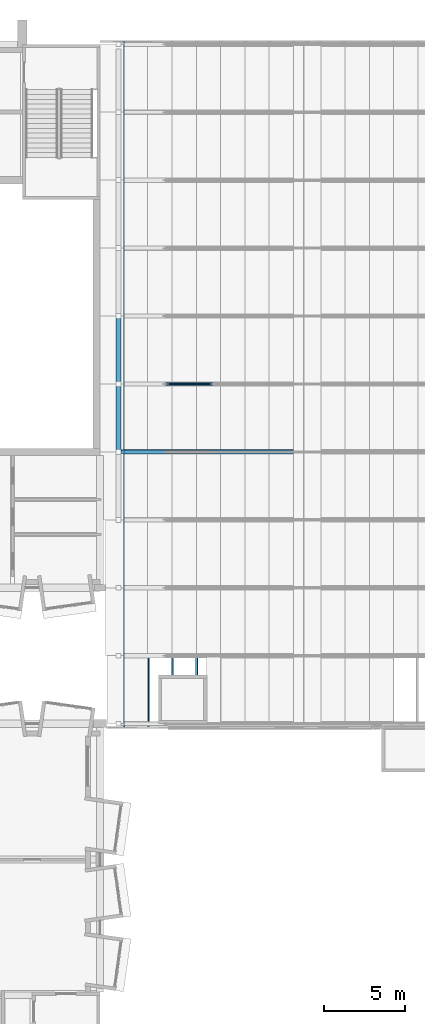
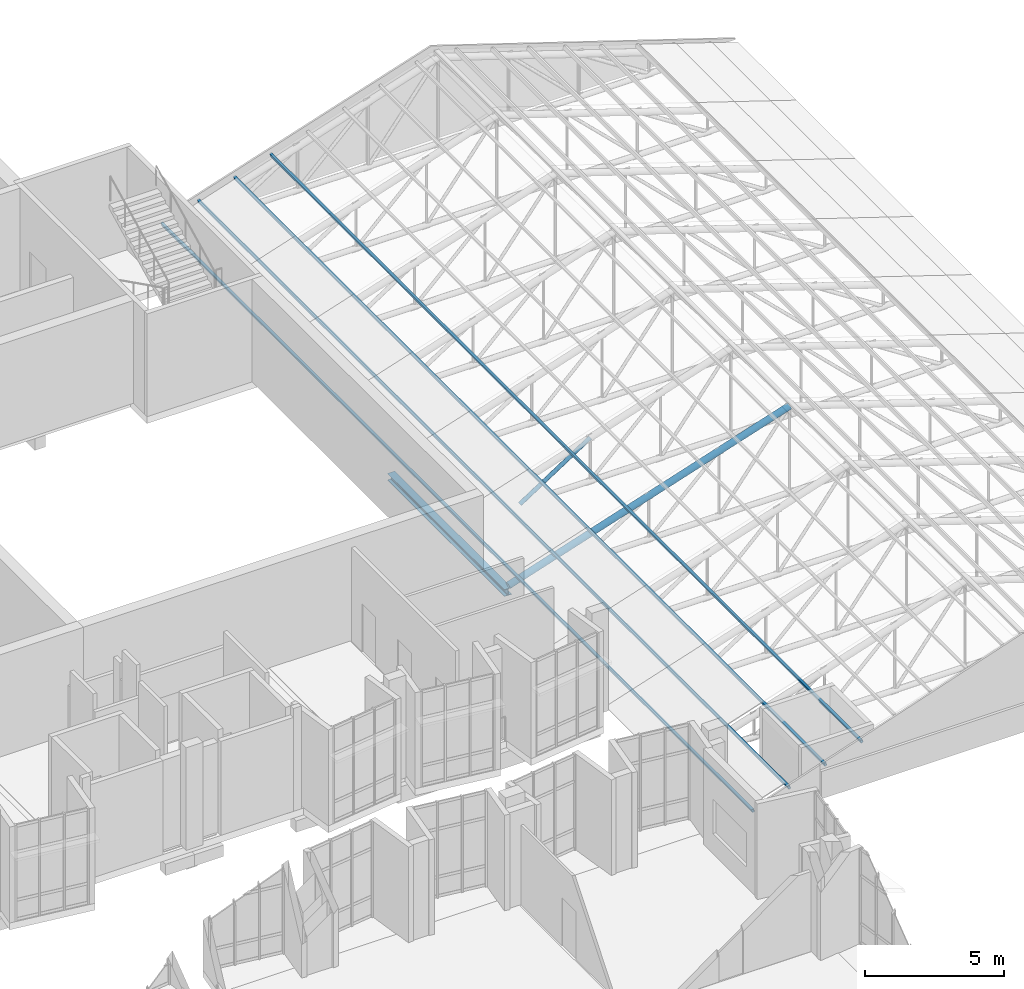
# One storey, part 19 of 95: 6 members, 1 beam.
"""IFC4 building model written with IfcOpenShell, lengths in metres."""

from ifc_helpers import new_model, si_unit, direction, frame, origin, origin_2d, place, context, subcontext, project, spatial, hollow_rectangle, hollow_circle, i_section, extrude, material, material_profile, profile_set, type_object, element, save


model = new_model("IFC4")

# Units and contexts
model_context = context("Model", 3, precision=1e-05, world=origin(), true_north=direction((0.0, 1.0)))
body_context = subcontext(model_context, "Body", "Model", "MODEL_VIEW")
ifc_project = project(units=[si_unit("LENGTHUNIT", "METRE"), si_unit("AREAUNIT", "SQUARE_METRE"), si_unit("VOLUMEUNIT", "CUBIC_METRE"), si_unit("PLANEANGLEUNIT", "RADIAN"), si_unit("MASSUNIT", "GRAM", prefix="KILO")], contexts=[model_context])

# Site, building, storey
site_placement = place(None, origin())
site = spatial("IfcSite", under=ifc_project, at=site_placement, CompositionType="ELEMENT")
building_placement = place(site_placement, origin())
building = spatial("IfcBuilding", under=site, at=building_placement, Name="Kiln Court Media Centre", CompositionType="ELEMENT")
storey_placement = place(building_placement, frame((0.0, 0.0, 24.60009765625)))
storey = spatial("IfcBuildingStorey", under=building, at=storey_placement, Name="L05", CompositionType="ELEMENT", Elevation=24.60009765625)

# Members
ifc_material_1 = material(Name="Steel ASTM A500 Gr C", Category="steel")
ifc_material_profile_1 = material_profile(ifc_material_1, hollow_circle(Radius=0.084228515625, WallThickness=0.00634765625, at=origin_2d()), Name="CHS 168.3x6.3")
ifc_profile_set_1 = profile_set([ifc_material_profile_1], Name="Steel ASTM A500 Gr C")
member_type_1 = type_object("IfcMemberType", Name="Steel ASTM A500 Gr C CHS 168.3x6.3 truss web", PredefinedType="BRACE", material=ifc_profile_set_1)
member_1_placement = place(storey_placement, frame((37.66259765625, 46.199951171875, -0.013916015625), z_axis=(0.838470915332, 0.0, 0.544946349784), x_axis=(0.0, 1.0, 0.0)))
element("IfcMember", 1, at=member_1_placement, inside=storey, type_object=member_type_1, Name="foyer truss FT-06 diagonal 2 truss web", PredefinedType="BRACE", context=body_context, shape_type="SweptSolid", body=[
    extrude(hollow_circle(Radius=0.084228515625, WallThickness=0.00634765625, at=origin_2d()), origin(), (0.0, 0.0, 1.0), 3.473388671875),
])
ifc_material_2 = material(Name="Steel ASTM A500 Gr C", Category="steel")
ifc_material_profile_2 = material_profile(ifc_material_2, hollow_circle(Radius=0.136474609375, WallThickness=0.010009765625, at=origin_2d()), Name="CHS 273.0x10.0")
ifc_profile_set_2 = profile_set([ifc_material_profile_2], Name="Steel ASTM A500 Gr C")
member_type_2 = type_object("IfcMemberType", Name="Steel ASTM A500 Gr C CHS 273.0x10.0 truss chord", PredefinedType="CHORD", material=ifc_profile_set_2)
member_2_placement = place(storey_placement, frame((34.75, 42.0, -0.013916015625), z_axis=(0.951053693326, 0.0, 0.309025682447), x_axis=(0.0, 1.0, 0.0)))
element("IfcMember", 2, at=member_2_placement, inside=storey, type_object=member_type_2, Name="foyer truss FT-05 west rafter truss chord", PredefinedType="CHORD", context=body_context, shape_type="SweptSolid", body=[
    extrude(hollow_circle(Radius=0.136474609375, WallThickness=0.010009765625, at=origin_2d()), origin(), (0.0, 0.0, 1.0), 12.24951171875),
])
ifc_material_3 = material(Name="Steel ASTM A500 Gr C", Category="steel")
ifc_material_profile_3 = material_profile(ifc_material_3, hollow_rectangle(XDim=0.10009765625, YDim=0.14990234375, WallThickness=0.008056640625, at=origin_2d()), Name="RHS 150x100x8.0")
ifc_profile_set_3 = profile_set([ifc_material_profile_3], Name="Steel ASTM A500 Gr C")
member_type_3 = type_object("IfcMemberType", Name="Steel ASTM A500 Gr C RHS 150x100x8.0 roof purlin", PredefinedType="PURLIN", material=ifc_profile_set_3)
for number, where, z_axis, x_axis, name in (
    (3, (35.085205078125, 25.005615234375, 0.3154296875), (0.0, 1.0, 0.0), (-0.951056516295, 0.0, -0.309016994375), "foyer roof west purlin 1 roof purlin"),
    (4, (36.585205078125, 25.005615234375, 0.802734375), (0.0, 1.0, 0.0), (-0.951056516295, 0.0, -0.309016994375), "foyer roof west purlin 2 roof purlin"),
    (5, (38.085205078125, 25.005615234375, 1.2900390625), (0.0, 1.0, 0.0), (-0.951056516295, 0.0, -0.309016994375), "foyer roof west purlin 3 roof purlin"),
    (6, (39.585205078125, 25.005615234375, 1.777587890625), (0.0, 1.0, 0.0), (-0.951056516295, 0.0, -0.309016994375), "foyer roof west purlin 4 roof purlin"),
):
    element("IfcMember", number, at=place(storey_placement, frame(where, z_axis=z_axis, x_axis=x_axis)), inside=storey, type_object=member_type_3, Name=name, PredefinedType="PURLIN", context=body_context, shape_type="SweptSolid", body=[
        extrude(hollow_rectangle(XDim=0.10009765625, YDim=0.14990234375, WallThickness=0.008056640625, at=origin_2d()), origin(), (0.0, 0.0, 1.0), 42.388916015625),
    ])

# Beam
ifc_material_4 = material(Name="Steel ASTM A572 Gr 50", Category="steel")
ifc_material_profile_4 = material_profile(ifc_material_4, i_section(OverallWidth=0.300048828125, OverallDepth=0.300048828125, WebThickness=0.010986328125, FlangeThickness=0.01904296875, FilletRadius=0.027099609375, at=origin_2d()), Name="HE 300 B")
ifc_profile_set_4 = profile_set([ifc_material_profile_4], Name="Steel ASTM A572 Gr 50")
beam_type = type_object("IfcBeamType", Name="Steel ASTM A572 Gr 50 HE 300 B foyer eaves girder", PredefinedType="BEAM", material=ifc_profile_set_4)
beam_placement = place(storey_placement, frame((34.75, 42.0, -0.300048828125), z_axis=(0.0, 1.0, 0.0), x_axis=(-1.0, 0.0, 0.0)))
element("IfcBeam", 7, at=beam_placement, inside=storey, type_object=beam_type, Name="foyer eaves girder at x 34.75 foyer eaves girder", PredefinedType="BEAM", context=body_context, shape_type="SweptSolid", body=[
    extrude(i_section(OverallWidth=0.300048828125, OverallDepth=0.300048828125, WebThickness=0.010986328125, FlangeThickness=0.01904296875, FilletRadius=0.027099609375, at=origin_2d()), origin(), (0.0, 0.0, 1.0), 8.39990234375),
])

save(model, "model.ifc")
